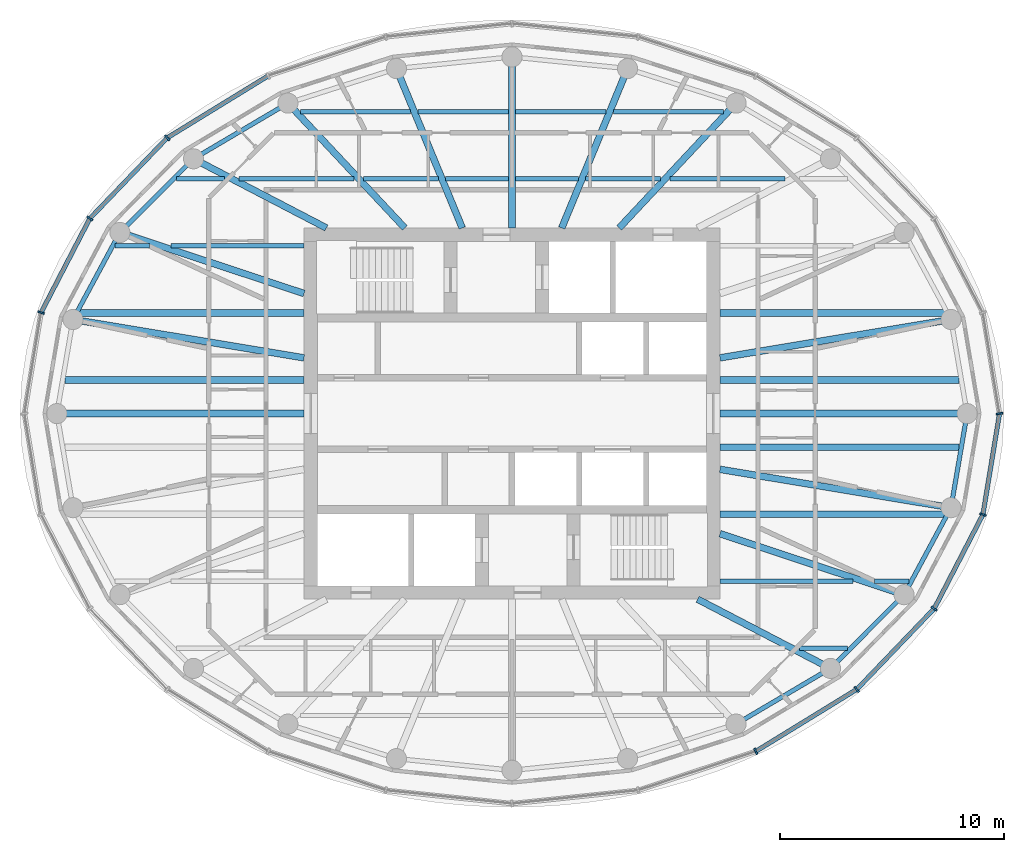
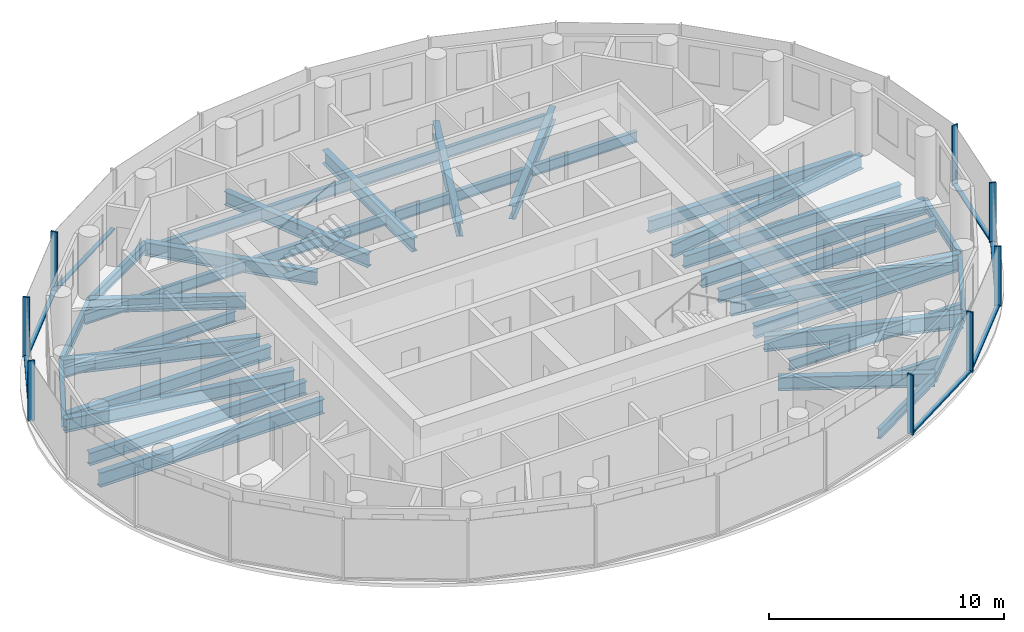
# One storey, part 2 of 11: 43 beams, 15 members, 3 elements without a shape of their own.
"""IFC4 building model written with IfcOpenShell, lengths in metres."""

from ifc_helpers import new_model, si_unit, direction, frame, origin, origin_2d, place, context, subcontext, project, spatial, rectangle, i_section, extrude, material, material_profile, profile_set, type_object, element, aggregate, save


model = new_model("IFC4")

# Units and contexts
model_context = context("Model", 3, precision=1e-05, world=origin(), true_north=direction((0.0, 1.0)))
body_context = subcontext(model_context, "Body", "Model", "MODEL_VIEW")
ifc_project = project(units=[si_unit("LENGTHUNIT", "METRE"), si_unit("AREAUNIT", "SQUARE_METRE"), si_unit("VOLUMEUNIT", "CUBIC_METRE"), si_unit("PLANEANGLEUNIT", "RADIAN"), si_unit("MASSUNIT", "GRAM", prefix="KILO")], contexts=[model_context])

# Site, building, storey
site_placement = place(None, origin())
site = spatial("IfcSite", under=ifc_project, at=site_placement, CompositionType="ELEMENT")
building_placement = place(site_placement, origin())
building = spatial("IfcBuilding", under=site, at=building_placement, Name="Hankou Lantern Tower", CompositionType="ELEMENT")
storey_placement = place(building_placement, frame((0.0, 0.0, 225.89990234375)))
storey = spatial("IfcBuildingStorey", under=building, at=storey_placement, Name="L61", CompositionType="ELEMENT", Elevation=225.89990234375)

# Beams
ifc_material_1 = material(Name="Steel Q355B", Category="steel")
ifc_material_profile_1 = material_profile(ifc_material_1, i_section(OverallWidth=0.199951171875, OverallDepth=0.5, WebThickness=0.010009765625, FlangeThickness=0.01611328125, FilletRadius=0.012939453125, at=origin_2d()), Name="HN500x200x10x16")
ifc_profile_set_1 = profile_set([ifc_material_profile_1], Name="Steel Q355B")
beam_type_1 = type_object("IfcBeamType", Name="EB5 RING BEAM HN500x200x10x16", PredefinedType="SPANDREL", material=ifc_profile_set_1)
beam_1_placement = place(storey_placement, frame((-10.01904296875, 13.8828125, -0.429931640625), z_axis=(-0.861422897323, -0.507888365655, 0.0), x_axis=(0.507888365655, -0.861422897323, 0.0)))
element("IfcBeam", 1, at=beam_1_placement, inside=storey, type_object=beam_type_1, Name="Ring beam R09-R10 L61", PredefinedType="SPANDREL", context=body_context, shape_type="SweptSolid", body=[
    extrude(i_section(OverallWidth=0.199951171875, OverallDepth=0.5, WebThickness=0.010009765625, FlangeThickness=0.01611328125, FilletRadius=0.012939453125, at=origin_2d()), origin(), (0.0, 0.0, 1.0), 4.901611328125),
])
beam_2_placement = place(storey_placement, frame((-14.241455078125, 11.393310546875, -0.429931640625), z_axis=(-0.706608588034, -0.707604623583, 0.0), x_axis=(0.707604623583, -0.706608588034, 0.0)))
element("IfcBeam", 2, at=beam_2_placement, inside=storey, type_object=beam_type_1, Name="Ring beam R10-R11 L61", PredefinedType="SPANDREL", context=body_context, shape_type="SweptSolid", body=[
    extrude(i_section(OverallWidth=0.199951171875, OverallDepth=0.5, WebThickness=0.010009765625, FlangeThickness=0.01611328125, FilletRadius=0.012939453125, at=origin_2d()), origin(), (0.0, 0.0, 1.0), 4.6572265625),
])
beam_3_placement = place(storey_placement, frame((-17.5322265625, 8.097900390625, -0.429931640625), z_axis=(-0.474491806611, -0.880259919262, 0.0), x_axis=(0.880259919262, -0.474491806611, 0.0)))
element("IfcBeam", 3, at=beam_3_placement, inside=storey, type_object=beam_type_1, Name="Ring beam R11-R12 L61", PredefinedType="SPANDREL", context=body_context, shape_type="SweptSolid", body=[
    extrude(i_section(OverallWidth=0.199951171875, OverallDepth=0.5, WebThickness=0.010009765625, FlangeThickness=0.01611328125, FilletRadius=0.012939453125, at=origin_2d()), origin(), (0.0, 0.0, 1.0), 4.419189453125),
])
beam_4_placement = place(storey_placement, frame((10.01904296875, -13.8828125, -0.429931640625), z_axis=(0.861422897323, 0.507888365655, 0.0), x_axis=(-0.507888365655, 0.861422897323, 0.0)))
element("IfcBeam", 4, at=beam_4_placement, inside=storey, type_object=beam_type_1, Name="Ring beam R21-R22 L61", PredefinedType="SPANDREL", context=body_context, shape_type="SweptSolid", body=[
    extrude(i_section(OverallWidth=0.199951171875, OverallDepth=0.5, WebThickness=0.010009765625, FlangeThickness=0.01611328125, FilletRadius=0.012939453125, at=origin_2d()), origin(), (0.0, 0.0, 1.0), 4.901611328125),
])
beam_5_placement = place(storey_placement, frame((14.241455078125, -11.393310546875, -0.429931640625), z_axis=(0.706608588034, 0.707604623583, 0.0), x_axis=(-0.707604623583, 0.706608588034, 0.0)))
element("IfcBeam", 5, at=beam_5_placement, inside=storey, type_object=beam_type_1, Name="Ring beam R22-R23 L61", PredefinedType="SPANDREL", context=body_context, shape_type="SweptSolid", body=[
    extrude(i_section(OverallWidth=0.199951171875, OverallDepth=0.5, WebThickness=0.010009765625, FlangeThickness=0.01611328125, FilletRadius=0.012939453125, at=origin_2d()), origin(), (0.0, 0.0, 1.0), 4.6572265625),
])
beam_6_placement = place(storey_placement, frame((17.5322265625, -8.097900390625, -0.429931640625), z_axis=(0.474491806611, 0.880259919262, 0.0), x_axis=(-0.880259919262, 0.474491806611, 0.0)))
element("IfcBeam", 6, at=beam_6_placement, inside=storey, type_object=beam_type_1, Name="Ring beam R23-R24 L61", PredefinedType="SPANDREL", context=body_context, shape_type="SweptSolid", body=[
    extrude(i_section(OverallWidth=0.199951171875, OverallDepth=0.5, WebThickness=0.010009765625, FlangeThickness=0.01611328125, FilletRadius=0.012939453125, at=origin_2d()), origin(), (0.0, 0.0, 1.0), 4.419189453125),
])
beam_7_placement = place(storey_placement, frame((19.629150390625, -4.207763671875, -0.429931640625), z_axis=(0.168876512999, 0.98563721691, 0.0), x_axis=(-0.98563721691, 0.168876512999, 0.0)))
element("IfcBeam", 7, at=beam_7_placement, inside=storey, type_object=beam_type_1, Name="Ring beam R24-R01 L61", PredefinedType="SPANDREL", context=body_context, shape_type="SweptSolid", body=[
    extrude(i_section(OverallWidth=0.199951171875, OverallDepth=0.5, WebThickness=0.010009765625, FlangeThickness=0.01611328125, FilletRadius=0.012939453125, at=origin_2d()), origin(), (0.0, 0.0, 1.0), 4.26904296875),
])

# Curtain wall, member
ifc_material_2 = material(Name="Glass, dark grey tinted laminated", Category="glass")
curtain_wall_type = type_object("IfcCurtainWallType", Name="CWD OUTER SKIN SUITE", PredefinedType="USERDEFINED", material=ifc_material_2)
curtain_wall_1_placement = place(storey_placement, origin())
curtain_wall_1 = element("IfcCurtainWall", 8, at=curtain_wall_1_placement, inside=storey, type_object=curtain_wall_type, Name="CWD L61 OS1", ObjectType="OUTER SKIN SUITE", PredefinedType="USERDEFINED")
ifc_material_3 = material(Name="Aluminium, black anodised", Category="aluminium")
ifc_material_profile_2 = material_profile(ifc_material_3, rectangle(XDim=0.080078125, YDim=0.300048828125, at=origin_2d()), Name="MU1 80X300")
ifc_profile_set_2 = profile_set([ifc_material_profile_2], Name="Aluminium, black anodised")
member_type_1 = type_object("IfcMemberType", Name="MU1 OUTER SKIN MULLION 80X300", PredefinedType="MULLION", material=ifc_profile_set_2)
member_1_placement = place(storey_placement, frame((21.800048828125, 0.0, 0.0), z_axis=(0.0, 0.0, 1.0), x_axis=(-0.162381515188, 0.986728049427, 0.0)))
member_1 = element("IfcMember", 9, at=member_1_placement, type_object=member_type_1, Name="CWD mullion 1", PredefinedType="MULLION", context=body_context, shape_type="SweptSolid", body=[
    extrude(rectangle(XDim=0.080078125, YDim=0.300048828125, at=origin_2d()), origin(), (0.0, 0.0, 1.0), 3.1201171875),
])
aggregate(curtain_wall_1, [member_1])

# Curtain wall, members
curtain_wall_2_placement = place(storey_placement, origin())
curtain_wall_2 = element("IfcCurtainWall", 10, at=curtain_wall_2_placement, inside=storey, type_object=curtain_wall_type, Name="CWD L61 OS2", ObjectType="OUTER SKIN SUITE", PredefinedType="USERDEFINED")
member_2_placement = place(storey_placement, frame((-15.4150390625, 12.33203125, 0.0), z_axis=(0.0, 0.0, 1.0), x_axis=(-0.780868809444, -0.624695047553, 0.0)))
member_2 = element("IfcMember", 11, at=member_2_placement, type_object=member_type_1, Name="CWD mullion 4", PredefinedType="MULLION", context=body_context, shape_type="SweptSolid", body=[
    extrude(rectangle(XDim=0.080078125, YDim=0.300048828125, at=origin_2d()), origin(), (0.0, 0.0, 1.0), 3.1201171875),
])
member_3_placement = place(storey_placement, frame((-18.87939453125, 8.719970703125, 0.0), z_axis=(0.0, 0.0, 1.0), x_axis=(-0.585205735974, -0.810884854084, 0.0)))
member_3 = element("IfcMember", 12, at=member_3_placement, type_object=member_type_1, Name="CWD mullion 5", PredefinedType="MULLION", context=body_context, shape_type="SweptSolid", body=[
    extrude(rectangle(XDim=0.080078125, YDim=0.300048828125, at=origin_2d()), origin(), (0.0, 0.0, 1.0), 3.1201171875),
])
member_4_placement = place(storey_placement, frame((-21.05712890625, 4.513916015625, 0.0), z_axis=(0.0, 0.0, 1.0), x_axis=(-0.317595577365, -0.94822626479, 0.0)))
member_4 = element("IfcMember", 13, at=member_4_placement, type_object=member_type_1, Name="CWD mullion 6", PredefinedType="MULLION", context=body_context, shape_type="SweptSolid", body=[
    extrude(rectangle(XDim=0.080078125, YDim=0.300048828125, at=origin_2d()), origin(), (0.0, 0.0, 1.0), 3.1201171875),
])

curtain_wall_3_placement = place(storey_placement, origin())
curtain_wall_3 = element("IfcCurtainWall", 14, at=curtain_wall_3_placement, inside=storey, type_object=curtain_wall_type, Name="CWD L61 OS4", ObjectType="OUTER SKIN SUITE", PredefinedType="USERDEFINED")
member_5_placement = place(storey_placement, frame((10.89990234375, -15.103515625, 0.0), z_axis=(0.0, 0.0, 1.0), x_axis=(0.907841299004, 0.419313934686, 0.0)))
member_5 = element("IfcMember", 15, at=member_5_placement, type_object=member_type_1, Name="CWD mullion 3", PredefinedType="MULLION", context=body_context, shape_type="SweptSolid", body=[
    extrude(rectangle(XDim=0.080078125, YDim=0.300048828125, at=origin_2d()), origin(), (0.0, 0.0, 1.0), 3.1201171875),
])
member_6_placement = place(storey_placement, frame((15.4150390625, -12.33203125, 0.0), z_axis=(0.0, 0.0, 1.0), x_axis=(0.780868809444, 0.624695047553, 0.0)))
member_6 = element("IfcMember", 16, at=member_6_placement, type_object=member_type_1, Name="CWD mullion 4", PredefinedType="MULLION", context=body_context, shape_type="SweptSolid", body=[
    extrude(rectangle(XDim=0.080078125, YDim=0.300048828125, at=origin_2d()), origin(), (0.0, 0.0, 1.0), 3.1201171875),
])
member_7_placement = place(storey_placement, frame((18.87939453125, -8.719970703125, 0.0), z_axis=(0.0, 0.0, 1.0), x_axis=(0.585205735974, 0.810884854084, 0.0)))
member_7 = element("IfcMember", 17, at=member_7_placement, type_object=member_type_1, Name="CWD mullion 5", PredefinedType="MULLION", context=body_context, shape_type="SweptSolid", body=[
    extrude(rectangle(XDim=0.080078125, YDim=0.300048828125, at=origin_2d()), origin(), (0.0, 0.0, 1.0), 3.1201171875),
])
member_8_placement = place(storey_placement, frame((21.05712890625, -4.513916015625, 0.0), z_axis=(0.0, 0.0, 1.0), x_axis=(0.317595577365, 0.94822626479, 0.0)))
member_8 = element("IfcMember", 18, at=member_8_placement, type_object=member_type_1, Name="CWD mullion 6", PredefinedType="MULLION", context=body_context, shape_type="SweptSolid", body=[
    extrude(rectangle(XDim=0.080078125, YDim=0.300048828125, at=origin_2d()), origin(), (0.0, 0.0, 1.0), 3.1201171875),
])

# Beams
ifc_material_4 = material(Name="Steel Q355B", Category="steel")
ifc_material_profile_3 = material_profile(ifc_material_4, i_section(OverallWidth=0.300048828125, OverallDepth=0.75, WebThickness=0.012939453125, FlangeThickness=0.02392578125, FilletRadius=0.01806640625, at=origin_2d()), Name="HN750x300x13x24")
ifc_profile_set_3 = profile_set([ifc_material_profile_3], Name="Steel Q355B")
beam_type_2 = type_object("IfcBeamType", Name="RB10 RADIAL BEAM HN750x300x13x24", PredefinedType="BEAM", material=ifc_profile_set_3)
for number, where, z_axis, x_axis, name in (
    (19, (9.300048828125, 0.0, -0.554931640625), (1.0, 0.0, 0.0), (0.0, 1.0, 0.0), "Radial beam R01 L61"),
    (20, (-9.300048828125, 0.0, -0.554931640625), (-1.0, 0.0, 0.0), (0.0, -1.0, 0.0), "Radial beam R13 L61"),
):
    element("IfcBeam", number, at=place(storey_placement, frame(where, z_axis=z_axis, x_axis=x_axis)), inside=storey, type_object=beam_type_2, Name=name, PredefinedType="BEAM", context=body_context, shape_type="SweptSolid", body=[
        extrude(i_section(OverallWidth=0.300048828125, OverallDepth=0.75, WebThickness=0.012939453125, FlangeThickness=0.02392578125, FilletRadius=0.01806640625, at=origin_2d()), origin(), (0.0, 0.0, 1.0), 11.050048828125),
    ])
ifc_material_5 = material(Name="Steel Q355B", Category="steel")
ifc_material_profile_4 = material_profile(ifc_material_5, i_section(OverallWidth=0.300048828125, OverallDepth=0.800048828125, WebThickness=0.013916015625, FlangeThickness=0.02587890625, FilletRadius=0.01806640625, at=origin_2d()), Name="HN800x300x14x26")
ifc_profile_set_4 = profile_set([ifc_material_profile_4], Name="Steel Q355B")
beam_type_3 = type_object("IfcBeamType", Name="RB11 RADIAL BEAM HN800x300x14x26", PredefinedType="BEAM", material=ifc_profile_set_4)
for number, where, z_axis, x_axis, name in (
    (21, (-9.300048828125, 5.369384765625, -0.579833984375), (-0.949219608576, 0.314614263337, 0.0), (-0.314614263337, -0.949219608576, 0.0), "Radial beam R11 L61"),
    (22, (9.300048828125, -5.369384765625, -0.579833984375), (0.949219608576, -0.314614263337, 0.0), (0.314614263337, 0.949219608576, 0.0), "Radial beam R23 L61"),
):
    element("IfcBeam", number, at=place(storey_placement, frame(where, z_axis=z_axis, x_axis=x_axis)), inside=storey, type_object=beam_type_3, Name=name, PredefinedType="BEAM", context=body_context, shape_type="SweptSolid", body=[
        extrude(i_section(OverallWidth=0.300048828125, OverallDepth=0.800048828125, WebThickness=0.013916015625, FlangeThickness=0.02587890625, FilletRadius=0.01806640625, at=origin_2d()), origin(), (0.0, 0.0, 1.0), 8.672607421875),
    ])
ifc_material_6 = material(Name="Steel Q355B", Category="steel")
ifc_material_profile_5 = material_profile(ifc_material_6, i_section(OverallWidth=0.300048828125, OverallDepth=0.699951171875, WebThickness=0.012939453125, FlangeThickness=0.02392578125, FilletRadius=0.01806640625, at=origin_2d()), Name="HN700x300x13x24")
ifc_profile_set_5 = profile_set([ifc_material_profile_5], Name="Steel Q355B")
beam_type_4 = type_object("IfcBeamType", Name="RB9 RADIAL BEAM HN700x300x13x24", PredefinedType="BEAM", material=ifc_profile_set_5)
beam_8_placement = place(storey_placement, frame((9.300048828125, 2.491943359375, -0.52978515625), z_axis=(0.986482007061, 0.163869612027, 0.0), x_axis=(-0.163869612027, 0.986482007061, 0.0)))
element("IfcBeam", 23, at=beam_8_placement, inside=storey, type_object=beam_type_4, Name="Radial beam R02 L61", PredefinedType="BEAM", context=body_context, shape_type="SweptSolid", body=[
    extrude(i_section(OverallWidth=0.300048828125, OverallDepth=0.699951171875, WebThickness=0.012939453125, FlangeThickness=0.02392578125, FilletRadius=0.01806640625, at=origin_2d()), origin(), (0.0, 0.0, 1.0), 10.470703125),
])
beam_9_placement = place(storey_placement, frame((4.7919921875, 8.300048828125, -0.52978515625), z_axis=(0.68346844743, 0.729980055459, 0.0), x_axis=(-0.729980055459, 0.68346844743, 0.0)))
element("IfcBeam", 24, at=beam_9_placement, inside=storey, type_object=beam_type_4, Name="Radial beam R05 L61", PredefinedType="BEAM", context=body_context, shape_type="SweptSolid", body=[
    extrude(i_section(OverallWidth=0.300048828125, OverallDepth=0.699951171875, WebThickness=0.012939453125, FlangeThickness=0.02392578125, FilletRadius=0.01806640625, at=origin_2d()), origin(), (0.0, 0.0, 1.0), 7.64794921875),
])
beam_10_placement = place(storey_placement, frame((2.223876953125, 8.300048828125, -0.52978515625), z_axis=(0.381706648123, 0.924283525104, 0.0), x_axis=(-0.924283525104, 0.381706648123, 0.0)))
element("IfcBeam", 25, at=beam_10_placement, inside=storey, type_object=beam_type_4, Name="Radial beam R06 L61", PredefinedType="BEAM", context=body_context, shape_type="SweptSolid", body=[
    extrude(i_section(OverallWidth=0.300048828125, OverallDepth=0.699951171875, WebThickness=0.012939453125, FlangeThickness=0.02392578125, FilletRadius=0.01806640625, at=origin_2d()), origin(), (0.0, 0.0, 1.0), 7.7109375),
])
beam_11_placement = place(storey_placement, frame((0.0, 8.300048828125, -0.52978515625), z_axis=(0.0, 1.0, 0.0), x_axis=(-1.0, 0.0, 0.0)))
element("IfcBeam", 26, at=beam_11_placement, inside=storey, type_object=beam_type_4, Name="Radial beam R07 L61", PredefinedType="BEAM", context=body_context, shape_type="SweptSolid", body=[
    extrude(i_section(OverallWidth=0.300048828125, OverallDepth=0.699951171875, WebThickness=0.012939453125, FlangeThickness=0.02392578125, FilletRadius=0.01806640625, at=origin_2d()), origin(), (0.0, 0.0, 1.0), 7.64990234375),
])
beam_12_placement = place(storey_placement, frame((-2.223876953125, 8.300048828125, -0.52978515625), z_axis=(-0.381706648123, 0.924283525104, 0.0), x_axis=(-0.924283525104, -0.381706648123, 0.0)))
element("IfcBeam", 27, at=beam_12_placement, inside=storey, type_object=beam_type_4, Name="Radial beam R08 L61", PredefinedType="BEAM", context=body_context, shape_type="SweptSolid", body=[
    extrude(i_section(OverallWidth=0.300048828125, OverallDepth=0.699951171875, WebThickness=0.012939453125, FlangeThickness=0.02392578125, FilletRadius=0.01806640625, at=origin_2d()), origin(), (0.0, 0.0, 1.0), 7.7109375),
])
beam_13_placement = place(storey_placement, frame((-4.7919921875, 8.300048828125, -0.52978515625), z_axis=(-0.68346844743, 0.729980055459, 0.0), x_axis=(-0.729980055459, -0.68346844743, 0.0)))
element("IfcBeam", 28, at=beam_13_placement, inside=storey, type_object=beam_type_4, Name="Radial beam R09 L61", PredefinedType="BEAM", context=body_context, shape_type="SweptSolid", body=[
    extrude(i_section(OverallWidth=0.300048828125, OverallDepth=0.699951171875, WebThickness=0.012939453125, FlangeThickness=0.02392578125, FilletRadius=0.01806640625, at=origin_2d()), origin(), (0.0, 0.0, 1.0), 7.64794921875),
])
beam_14_placement = place(storey_placement, frame((-8.300048828125, 8.300048828125, -0.52978515625), z_axis=(-0.886988734783, 0.461791061378, 0.0), x_axis=(-0.461791061378, -0.886988734783, 0.0)))
element("IfcBeam", 29, at=beam_14_placement, inside=storey, type_object=beam_type_4, Name="Radial beam R10 L61", PredefinedType="BEAM", context=body_context, shape_type="SweptSolid", body=[
    extrude(i_section(OverallWidth=0.300048828125, OverallDepth=0.699951171875, WebThickness=0.012939453125, FlangeThickness=0.02392578125, FilletRadius=0.01806640625, at=origin_2d()), origin(), (0.0, 0.0, 1.0), 6.698486328125),
])
beam_15_placement = place(storey_placement, frame((-9.300048828125, 2.491943359375, -0.52978515625), z_axis=(-0.986482007061, 0.163869612027, 0.0), x_axis=(-0.163869612027, -0.986482007061, 0.0)))
element("IfcBeam", 30, at=beam_15_placement, inside=storey, type_object=beam_type_4, Name="Radial beam R12 L61", PredefinedType="BEAM", context=body_context, shape_type="SweptSolid", body=[
    extrude(i_section(OverallWidth=0.300048828125, OverallDepth=0.699951171875, WebThickness=0.012939453125, FlangeThickness=0.02392578125, FilletRadius=0.01806640625, at=origin_2d()), origin(), (0.0, 0.0, 1.0), 10.470703125),
])
beam_16_placement = place(storey_placement, frame((8.300048828125, -8.300048828125, -0.52978515625), z_axis=(0.886988734783, -0.461791061378, 0.0), x_axis=(0.461791061378, 0.886988734783, 0.0)))
element("IfcBeam", 31, at=beam_16_placement, inside=storey, type_object=beam_type_4, Name="Radial beam R22 L61", PredefinedType="BEAM", context=body_context, shape_type="SweptSolid", body=[
    extrude(i_section(OverallWidth=0.300048828125, OverallDepth=0.699951171875, WebThickness=0.012939453125, FlangeThickness=0.02392578125, FilletRadius=0.01806640625, at=origin_2d()), origin(), (0.0, 0.0, 1.0), 6.698486328125),
])
beam_17_placement = place(storey_placement, frame((9.300048828125, -2.491943359375, -0.52978515625), z_axis=(0.986482007061, -0.163869612027, 0.0), x_axis=(0.163869612027, 0.986482007061, 0.0)))
element("IfcBeam", 32, at=beam_17_placement, inside=storey, type_object=beam_type_4, Name="Radial beam R24 L61", PredefinedType="BEAM", context=body_context, shape_type="SweptSolid", body=[
    extrude(i_section(OverallWidth=0.300048828125, OverallDepth=0.699951171875, WebThickness=0.012939453125, FlangeThickness=0.02392578125, FilletRadius=0.01806640625, at=origin_2d()), origin(), (0.0, 0.0, 1.0), 10.470703125),
])
ifc_material_7 = material(Name="Steel Q355B", Category="steel")
ifc_material_profile_6 = material_profile(ifc_material_7, i_section(OverallWidth=0.199951171875, OverallDepth=0.550048828125, WebThickness=0.010009765625, FlangeThickness=0.01611328125, FilletRadius=0.012939453125, at=origin_2d()), Name="HN550x200x10x16")
ifc_profile_set_6 = profile_set([ifc_material_profile_6], Name="Steel Q355B")
beam_type_5 = type_object("IfcBeamType", Name="SB6 SECONDARY BEAM HN550x200x10x16", PredefinedType="JOIST", material=ifc_profile_set_6)
beam_18_placement = place(storey_placement, frame((12.8505859375, -10.5, -0.454833984375), z_axis=(1.0, 0.0, 0.0), x_axis=(0.0, 1.0, 0.0)))
element("IfcBeam", 33, at=beam_18_placement, inside=storey, type_object=beam_type_5, Name="Floor joist J012 L61", PredefinedType="JOIST", context=body_context, shape_type="SweptSolid", body=[
    extrude(i_section(OverallWidth=0.199951171875, OverallDepth=0.550048828125, WebThickness=0.010009765625, FlangeThickness=0.01611328125, FilletRadius=0.012939453125, at=origin_2d()), origin(), (0.0, 0.0, 1.0), 2.1416015625),
])
beam_19_placement = place(storey_placement, frame((9.300048828125, -7.5, -0.454833984375), z_axis=(1.0, 0.0, 0.0), x_axis=(0.0, 1.0, 0.0)))
element("IfcBeam", 34, at=beam_19_placement, inside=storey, type_object=beam_type_5, Name="Floor joist J015 L61", PredefinedType="JOIST", context=body_context, shape_type="SweptSolid", body=[
    extrude(i_section(OverallWidth=0.199951171875, OverallDepth=0.550048828125, WebThickness=0.010009765625, FlangeThickness=0.01611328125, FilletRadius=0.012939453125, at=origin_2d()), origin(), (0.0, 0.0, 1.0), 5.95166015625),
])
for number, where, z_axis, x_axis, name in (
    (35, (16.205322265625, -7.5, -0.454833984375), (1.0, 0.0, 0.0), (0.0, 1.0, 0.0), "Floor joist J016 L61"),
    (36, (-17.740966796875, 7.5, -0.454833984375), (1.0, 0.0, 0.0), (0.0, 1.0, 0.0), "Floor joist J025 L61"),
):
    element("IfcBeam", number, at=place(storey_placement, frame(where, z_axis=z_axis, x_axis=x_axis)), inside=storey, type_object=beam_type_5, Name=name, PredefinedType="JOIST", context=body_context, shape_type="SweptSolid", body=[
        extrude(i_section(OverallWidth=0.199951171875, OverallDepth=0.550048828125, WebThickness=0.010009765625, FlangeThickness=0.01611328125, FilletRadius=0.012939453125, at=origin_2d()), origin(), (0.0, 0.0, 1.0), 1.53564453125),
    ])
beam_20_placement = place(storey_placement, frame((-15.251708984375, 7.5, -0.454833984375), z_axis=(1.0, 0.0, 0.0), x_axis=(0.0, 1.0, 0.0)))
element("IfcBeam", 37, at=beam_20_placement, inside=storey, type_object=beam_type_5, Name="Floor joist J026 L61", PredefinedType="JOIST", context=body_context, shape_type="SweptSolid", body=[
    extrude(i_section(OverallWidth=0.199951171875, OverallDepth=0.550048828125, WebThickness=0.010009765625, FlangeThickness=0.01611328125, FilletRadius=0.012939453125, at=origin_2d()), origin(), (0.0, 0.0, 1.0), 5.95166015625),
])
beam_21_placement = place(storey_placement, frame((-14.9921875, 10.5, -0.454833984375), z_axis=(1.0, 0.0, 0.0), x_axis=(0.0, 1.0, 0.0)))
element("IfcBeam", 38, at=beam_21_placement, inside=storey, type_object=beam_type_5, Name="Floor joist J029 L61", PredefinedType="JOIST", context=body_context, shape_type="SweptSolid", body=[
    extrude(i_section(OverallWidth=0.199951171875, OverallDepth=0.550048828125, WebThickness=0.010009765625, FlangeThickness=0.01611328125, FilletRadius=0.012939453125, at=origin_2d()), origin(), (0.0, 0.0, 1.0), 2.1416015625),
])
beam_22_placement = place(storey_placement, frame((-12.200927734375, 10.5, -0.454833984375), z_axis=(1.0, 0.0, 0.0), x_axis=(0.0, 1.0, 0.0)))
element("IfcBeam", 39, at=beam_22_placement, inside=storey, type_object=beam_type_5, Name="Floor joist J030 L61", PredefinedType="JOIST", context=body_context, shape_type="SweptSolid", body=[
    extrude(i_section(OverallWidth=0.199951171875, OverallDepth=0.550048828125, WebThickness=0.010009765625, FlangeThickness=0.01611328125, FilletRadius=0.012939453125, at=origin_2d()), origin(), (0.0, 0.0, 1.0), 5.1435546875),
])
beam_23_placement = place(storey_placement, frame((-6.646240234375, 10.5, -0.454833984375), z_axis=(1.0, 0.0, 0.0), x_axis=(0.0, 1.0, 0.0)))
element("IfcBeam", 40, at=beam_23_placement, inside=storey, type_object=beam_type_5, Name="Floor joist J031 L61", PredefinedType="JOIST", context=body_context, shape_type="SweptSolid", body=[
    extrude(i_section(OverallWidth=0.199951171875, OverallDepth=0.550048828125, WebThickness=0.010009765625, FlangeThickness=0.01611328125, FilletRadius=0.012939453125, at=origin_2d()), origin(), (0.0, 0.0, 1.0), 3.3515625),
])
for number, where, z_axis, x_axis, name in (
    (41, (-2.97021484375, 10.5, -0.454833984375), (1.0, 0.0, 0.0), (0.0, 1.0, 0.0), "Floor joist J032 L61"),
    (42, (0.14990234375, 10.5, -0.454833984375), (1.0, 0.0, 0.0), (0.0, 1.0, 0.0), "Floor joist J033 L61"),
):
    element("IfcBeam", number, at=place(storey_placement, frame(where, z_axis=z_axis, x_axis=x_axis)), inside=storey, type_object=beam_type_5, Name=name, PredefinedType="JOIST", context=body_context, shape_type="SweptSolid", body=[
        extrude(i_section(OverallWidth=0.199951171875, OverallDepth=0.550048828125, WebThickness=0.010009765625, FlangeThickness=0.01611328125, FilletRadius=0.012939453125, at=origin_2d()), origin(), (0.0, 0.0, 1.0), 2.8203125),
    ])
beam_24_placement = place(storey_placement, frame((3.294677734375, 10.5, -0.454833984375), z_axis=(1.0, 0.0, 0.0), x_axis=(0.0, 1.0, 0.0)))
element("IfcBeam", 43, at=beam_24_placement, inside=storey, type_object=beam_type_5, Name="Floor joist J034 L61", PredefinedType="JOIST", context=body_context, shape_type="SweptSolid", body=[
    extrude(i_section(OverallWidth=0.199951171875, OverallDepth=0.550048828125, WebThickness=0.010009765625, FlangeThickness=0.01611328125, FilletRadius=0.012939453125, at=origin_2d()), origin(), (0.0, 0.0, 1.0), 3.3515625),
])
beam_25_placement = place(storey_placement, frame((7.057373046875, 10.5, -0.454833984375), z_axis=(1.0, 0.0, 0.0), x_axis=(0.0, 1.0, 0.0)))
element("IfcBeam", 44, at=beam_25_placement, inside=storey, type_object=beam_type_5, Name="Floor joist J035 L61", PredefinedType="JOIST", context=body_context, shape_type="SweptSolid", body=[
    extrude(i_section(OverallWidth=0.199951171875, OverallDepth=0.550048828125, WebThickness=0.010009765625, FlangeThickness=0.01611328125, FilletRadius=0.012939453125, at=origin_2d()), origin(), (0.0, 0.0, 1.0), 5.1435546875),
])
beam_26_placement = place(storey_placement, frame((-9.455078125, 13.5, -0.454833984375), z_axis=(1.0, 0.0, 0.0), x_axis=(0.0, 1.0, 0.0)))
element("IfcBeam", 45, at=beam_26_placement, inside=storey, type_object=beam_type_5, Name="Floor joist J037 L61", PredefinedType="JOIST", context=body_context, shape_type="SweptSolid", body=[
    extrude(i_section(OverallWidth=0.199951171875, OverallDepth=0.550048828125, WebThickness=0.010009765625, FlangeThickness=0.01611328125, FilletRadius=0.012939453125, at=origin_2d()), origin(), (0.0, 0.0, 1.0), 4.92138671875),
])
for number, where, z_axis, x_axis, name in (
    (46, (-4.208984375, 13.5, -0.454833984375), (1.0, 0.0, 0.0), (0.0, 1.0, 0.0), "Floor joist J038 L61"),
    (47, (0.14990234375, 13.5, -0.454833984375), (1.0, 0.0, 0.0), (0.0, 1.0, 0.0), "Floor joist J039 L61"),
):
    element("IfcBeam", number, at=place(storey_placement, frame(where, z_axis=z_axis, x_axis=x_axis)), inside=storey, type_object=beam_type_5, Name=name, PredefinedType="JOIST", context=body_context, shape_type="SweptSolid", body=[
        extrude(i_section(OverallWidth=0.199951171875, OverallDepth=0.550048828125, WebThickness=0.010009765625, FlangeThickness=0.01611328125, FilletRadius=0.012939453125, at=origin_2d()), origin(), (0.0, 0.0, 1.0), 4.05908203125),
    ])
beam_27_placement = place(storey_placement, frame((4.53369140625, 13.5, -0.454833984375), z_axis=(1.0, 0.0, 0.0), x_axis=(0.0, 1.0, 0.0)))
element("IfcBeam", 48, at=beam_27_placement, inside=storey, type_object=beam_type_5, Name="Floor joist J040 L61", PredefinedType="JOIST", context=body_context, shape_type="SweptSolid", body=[
    extrude(i_section(OverallWidth=0.199951171875, OverallDepth=0.550048828125, WebThickness=0.010009765625, FlangeThickness=0.01611328125, FilletRadius=0.012939453125, at=origin_2d()), origin(), (0.0, 0.0, 1.0), 4.92138671875),
])
ifc_material_8 = material(Name="Steel Q355B", Category="steel")
ifc_material_profile_7 = material_profile(ifc_material_8, i_section(OverallWidth=0.300048828125, OverallDepth=0.64990234375, WebThickness=0.010986328125, FlangeThickness=0.01708984375, FilletRadius=0.01806640625, at=origin_2d()), Name="HN650x300x11x17")
ifc_profile_set_7 = profile_set([ifc_material_profile_7], Name="Steel Q355B")
beam_type_6 = type_object("IfcBeamType", Name="SB8 SECONDARY BEAM HN650x300x11x17", PredefinedType="JOIST", material=ifc_profile_set_7)
beam_28_placement = place(storey_placement, frame((9.300048828125, -4.5, -0.5048828125), z_axis=(1.0, 0.0, 0.0), x_axis=(0.0, 1.0, 0.0)))
element("IfcBeam", 49, at=beam_28_placement, inside=storey, type_object=beam_type_6, Name="Floor joist J018 L61", PredefinedType="JOIST", context=body_context, shape_type="SweptSolid", body=[
    extrude(i_section(OverallWidth=0.300048828125, OverallDepth=0.64990234375, WebThickness=0.010986328125, FlangeThickness=0.01708984375, FilletRadius=0.01806640625, at=origin_2d()), origin(), (0.0, 0.0, 1.0), 10.057861328125),
])
for number, where, z_axis, x_axis, name in (
    (50, (9.300048828125, -1.5, -0.5048828125), (1.0, 0.0, 0.0), (0.0, 1.0, 0.0), "Floor joist J020 L61"),
    (51, (-19.991455078125, 1.5, -0.5048828125), (1.0, 0.0, 0.0), (0.0, 1.0, 0.0), "Floor joist J021 L61"),
    (52, (9.300048828125, 1.5, -0.5048828125), (1.0, 0.0, 0.0), (0.0, 1.0, 0.0), "Floor joist J022 L61"),
):
    element("IfcBeam", number, at=place(storey_placement, frame(where, z_axis=z_axis, x_axis=x_axis)), inside=storey, type_object=beam_type_6, Name=name, PredefinedType="JOIST", context=body_context, shape_type="SweptSolid", body=[
        extrude(i_section(OverallWidth=0.300048828125, OverallDepth=0.64990234375, WebThickness=0.010986328125, FlangeThickness=0.01708984375, FilletRadius=0.01806640625, at=origin_2d()), origin(), (0.0, 0.0, 1.0), 10.69140625),
    ])
for number, where, z_axis, x_axis, name in (
    (53, (-19.35791015625, 4.5, -0.5048828125), (1.0, 0.0, 0.0), (0.0, 1.0, 0.0), "Floor joist J023 L61"),
    (54, (9.300048828125, 4.5, -0.5048828125), (1.0, 0.0, 0.0), (0.0, 1.0, 0.0), "Floor joist J024 L61"),
):
    element("IfcBeam", number, at=place(storey_placement, frame(where, z_axis=z_axis, x_axis=x_axis)), inside=storey, type_object=beam_type_6, Name=name, PredefinedType="JOIST", context=body_context, shape_type="SweptSolid", body=[
        extrude(i_section(OverallWidth=0.300048828125, OverallDepth=0.64990234375, WebThickness=0.010986328125, FlangeThickness=0.01708984375, FilletRadius=0.01806640625, at=origin_2d()), origin(), (0.0, 0.0, 1.0), 10.057861328125),
    ])

# Member
ifc_material_9 = material(Name="Aluminium, black anodised", Category="aluminium")
ifc_material_profile_8 = material_profile(ifc_material_9, rectangle(XDim=0.199951171875, YDim=0.080078125, at=origin_2d()), Name="TR1 200X80")
ifc_profile_set_8 = profile_set([ifc_material_profile_8], Name="Aluminium, black anodised")
member_type_2 = type_object("IfcMemberType", Name="TR1 OUTER SKIN TRANSOM 200X80", PredefinedType="USERDEFINED", material=ifc_profile_set_8)
member_9_placement = place(storey_placement, frame((-10.93408203125, 15.08251953125, 0.0400390625), z_axis=(-0.852234544008, -0.523159900986, 0.0), x_axis=(0.523159900986, -0.852234544008, 0.0)))
member_9 = element("IfcMember", 55, at=member_9_placement, type_object=member_type_2, Name="CWD transom 3", ObjectType="TRANSOM", PredefinedType="USERDEFINED", context=body_context, shape_type="SweptSolid", body=[
    extrude(rectangle(XDim=0.199951171875, YDim=0.080078125, at=origin_2d()), origin(), (0.0, 0.0, 1.0), 5.2177734375),
])

member_10_placement = place(storey_placement, frame((-15.442626953125, 12.302978515625, 0.0400390625), z_axis=(-0.692204633274, -0.721701285626, 0.0), x_axis=(0.721701285626, -0.692204633274, 0.0)))
member_10 = element("IfcMember", 56, at=member_10_placement, type_object=member_type_2, Name="CWD transom 4", ObjectType="TRANSOM", PredefinedType="USERDEFINED", context=body_context, shape_type="SweptSolid", body=[
    extrude(rectangle(XDim=0.199951171875, YDim=0.080078125, at=origin_2d()), origin(), (0.0, 0.0, 1.0), 4.9248046875),
])

member_11_placement = place(storey_placement, frame((-18.897705078125, 8.6845703125, 0.0400390625), z_axis=(-0.45979371115, -0.888025755925, 0.0), x_axis=(0.888025755925, -0.45979371115, 0.0)))
member_11 = element("IfcMember", 57, at=member_11_placement, type_object=member_type_2, Name="CWD transom 5", ObjectType="TRANSOM", PredefinedType="USERDEFINED", context=body_context, shape_type="SweptSolid", body=[
    extrude(rectangle(XDim=0.199951171875, YDim=0.080078125, at=origin_2d()), origin(), (0.0, 0.0, 1.0), 4.65673828125),
])

aggregate(curtain_wall_2, [member_2, member_3, member_4, member_9, member_10, member_11])

member_12_placement = place(storey_placement, frame((10.93408203125, -15.08251953125, 0.0400390625), z_axis=(0.852234544008, 0.523159900986, 0.0), x_axis=(-0.523159900986, 0.852234544008, 0.0)))
member_12 = element("IfcMember", 58, at=member_12_placement, type_object=member_type_2, Name="CWD transom 3", ObjectType="TRANSOM", PredefinedType="USERDEFINED", context=body_context, shape_type="SweptSolid", body=[
    extrude(rectangle(XDim=0.199951171875, YDim=0.080078125, at=origin_2d()), origin(), (0.0, 0.0, 1.0), 5.2177734375),
])

member_13_placement = place(storey_placement, frame((15.442626953125, -12.302978515625, 0.0400390625), z_axis=(0.692204633274, 0.721701285626, 0.0), x_axis=(-0.721701285626, 0.692204633274, 0.0)))
member_13 = element("IfcMember", 59, at=member_13_placement, type_object=member_type_2, Name="CWD transom 4", ObjectType="TRANSOM", PredefinedType="USERDEFINED", context=body_context, shape_type="SweptSolid", body=[
    extrude(rectangle(XDim=0.199951171875, YDim=0.080078125, at=origin_2d()), origin(), (0.0, 0.0, 1.0), 4.9248046875),
])

member_14_placement = place(storey_placement, frame((18.897705078125, -8.6845703125, 0.0400390625), z_axis=(0.45979371115, 0.888025755925, 0.0), x_axis=(-0.888025755925, 0.45979371115, 0.0)))
member_14 = element("IfcMember", 60, at=member_14_placement, type_object=member_type_2, Name="CWD transom 5", ObjectType="TRANSOM", PredefinedType="USERDEFINED", context=body_context, shape_type="SweptSolid", body=[
    extrude(rectangle(XDim=0.199951171875, YDim=0.080078125, at=origin_2d()), origin(), (0.0, 0.0, 1.0), 4.65673828125),
])

member_15_placement = place(storey_placement, frame((21.063720703125, -4.474365234375, 0.0400390625), z_axis=(0.162363822839, 0.986730960816, 0.0), x_axis=(-0.986730960816, 0.162363822839, 0.0)))
member_15 = element("IfcMember", 61, at=member_15_placement, type_object=member_type_2, Name="CWD transom 6", ObjectType="TRANSOM", PredefinedType="USERDEFINED", context=body_context, shape_type="SweptSolid", body=[
    extrude(rectangle(XDim=0.199951171875, YDim=0.080078125, at=origin_2d()), origin(), (0.0, 0.0, 1.0), 4.494384765625),
])

aggregate(curtain_wall_3, [member_5, member_6, member_7, member_8, member_12, member_13, member_14, member_15])

save(model, "model.ifc")
